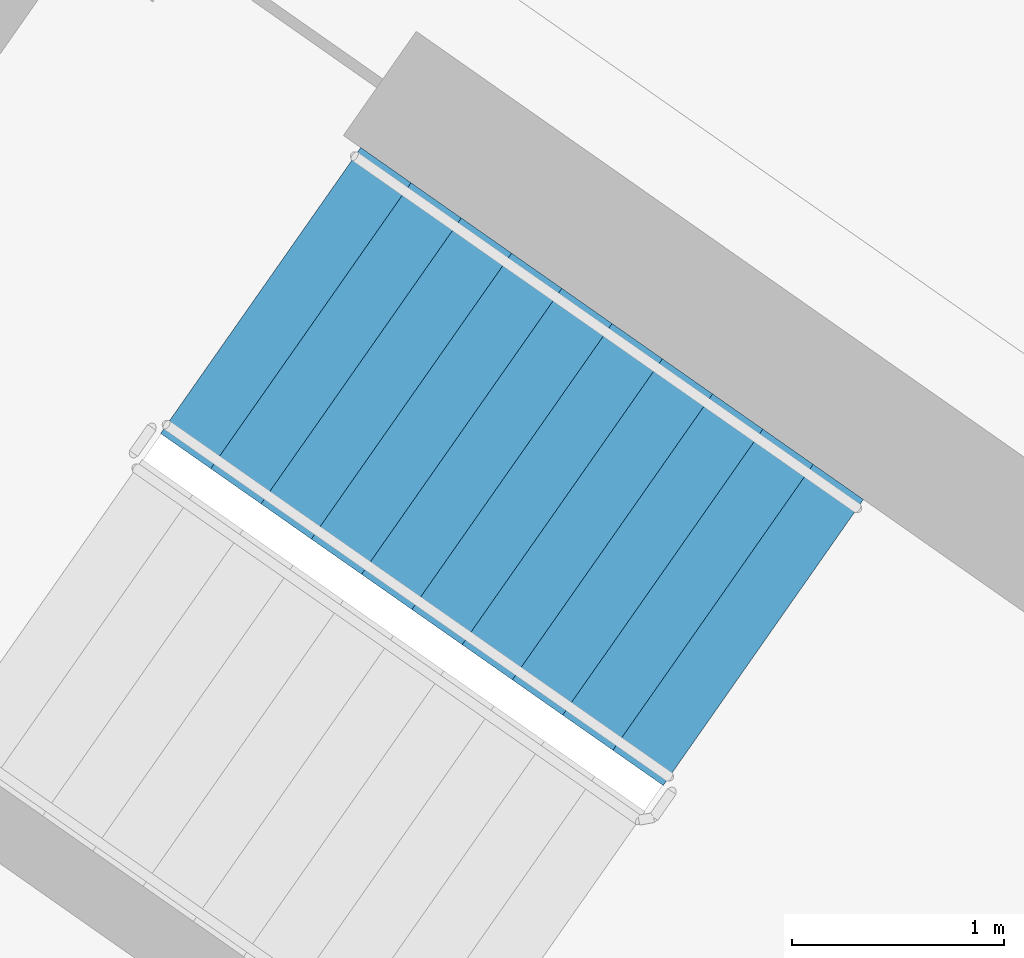
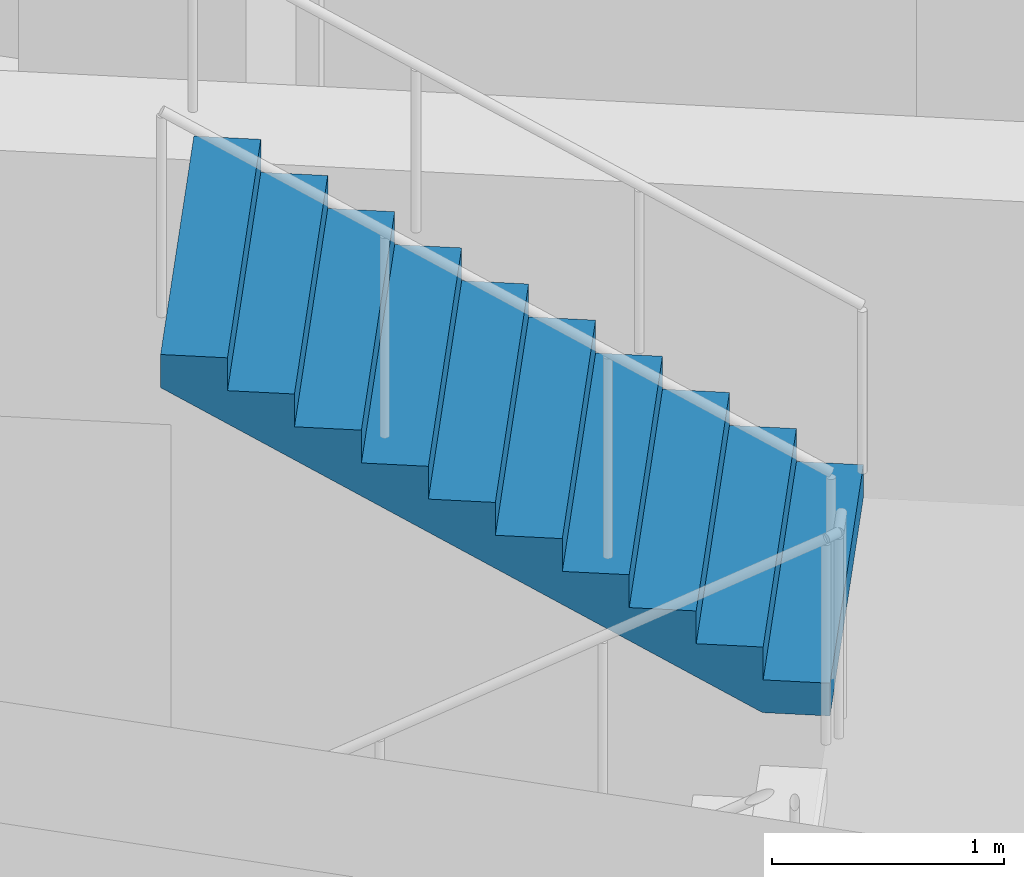
# One storey, part 12 of 29: 1 stair flight, 1 element without a shape of its own.
"""IFC4 building model written with IfcOpenShell, lengths in metres."""

from ifc_helpers import new_model, si_unit, direction, frame, origin, place, context, subcontext, project, spatial, faceted_brep, material, type_object, element, aggregate, save


model = new_model("IFC4")

# Units and contexts
model_context = context("Model", 3, precision=1e-05, world=origin(), true_north=direction((0.0, 1.0)))
body_context = subcontext(model_context, "Body", "Model", "MODEL_VIEW")
ifc_project = project(units=[si_unit("LENGTHUNIT", "METRE"), si_unit("AREAUNIT", "SQUARE_METRE"), si_unit("VOLUMEUNIT", "CUBIC_METRE"), si_unit("PLANEANGLEUNIT", "RADIAN"), si_unit("MASSUNIT", "GRAM", prefix="KILO")], contexts=[model_context])

# Site, building, storey
site_placement = place(None, origin())
site = spatial("IfcSite", under=ifc_project, at=site_placement, CompositionType="ELEMENT")
building_placement = place(site_placement, origin())
building = spatial("IfcBuilding", under=site, at=building_placement, Name="Qamariyya Broadcast Tower", CompositionType="ELEMENT")
storey_placement = place(building_placement, frame((0.0, 0.0, 207.5)))
storey = spatial("IfcBuildingStorey", under=building, at=storey_placement, Name="L49", CompositionType="ELEMENT", Elevation=207.5)

# Stair, stair flight
ifc_material = material(Name="Concrete C50/60", Category="concrete")
stair_type = type_object("IfcStairType", Name="Exit stair 22 risers of 173 mm", PredefinedType="HALF_TURN_STAIR", material=ifc_material)
stair_placement = place(storey_placement, origin())
stair = element("IfcStair", 1, at=stair_placement, inside=storey, type_object=stair_type, Name="L49 Stair W2", PredefinedType="HALF_TURN_STAIR")
stair_flight_type = type_object("IfcStairFlightType", Name="Exit stair flight 11 risers of 173 mm", PredefinedType="STRAIGHT", material=ifc_material)
stair_flight_placement = place(storey_placement, frame((-38.18310546875, -49.3486328125, 1.89990234375), z_axis=(0.0, 0.0, 1.0), x_axis=(-0.819152044289, 0.573576436351, 0.0)))
stair_flight = element("IfcStairFlight", 2, at=stair_flight_placement, type_object=stair_flight_type, Name="ST-W2 flight 2", NumberOfRisers=11, NumberOfTreads=10, PredefinedType="STRAIGHT", RiserHeight=0.172727273, TreadLength=0.29, context=body_context, shape_type="Brep", body=[
    faceted_brep([(0.0, 0.824951171875, 0.0), (0.0, 0.824951171875, 0.172607421875), (0.2900390625, 0.824951171875, 0.172607421875), (0.2900390625, 0.824951171875, 0.345458984375), (0.580078125, 0.824951171875, 0.345458984375), (0.580078125, 0.824951171875, 0.51806640625), (0.8701171875, 0.824951171875, 0.51806640625), (0.8701171875, 0.824951171875, 0.69091796875), (1.159912109375, 0.824951171875, 0.69091796875), (1.159912109375, 0.824951171875, 0.863525390625), (1.449951171875, 0.824951171875, 0.863525390625), (1.449951171875, 0.824951171875, 1.036376953125), (1.739990234375, 0.824951171875, 1.036376953125), (1.739990234375, 0.824951171875, 1.208984375), (2.030029296875, 0.824951171875, 1.208984375), (2.030029296875, 0.824951171875, 1.3818359375), (2.320068359375, 0.824951171875, 1.3818359375), (2.320068359375, 0.824951171875, 1.554443359375), (2.610107421875, 0.824951171875, 1.554443359375), (2.610107421875, 0.824951171875, 1.727294921875), (2.89990234375, 0.824951171875, 1.727294921875), (2.89990234375, 0.824951171875, 1.552734375), (0.29296875, 0.824951171875, 0.0), (0.29296875, -0.824951171875, 0.0), (2.89990234375, -0.824951171875, 1.552734375), (2.89990234375, -0.824951171875, 1.727294921875), (2.610107421875, -0.824951171875, 1.727294921875), (2.610107421875, -0.824951171875, 1.554443359375), (2.320068359375, -0.824951171875, 1.554443359375), (2.320068359375, -0.824951171875, 1.3818359375), (2.030029296875, -0.824951171875, 1.3818359375), (2.030029296875, -0.824951171875, 1.208984375), (1.739990234375, -0.824951171875, 1.208984375), (1.739990234375, -0.824951171875, 1.036376953125), (1.449951171875, -0.824951171875, 1.036376953125), (1.449951171875, -0.824951171875, 0.863525390625), (1.159912109375, -0.824951171875, 0.863525390625), (1.159912109375, -0.824951171875, 0.69091796875), (0.8701171875, -0.824951171875, 0.69091796875), (0.8701171875, -0.824951171875, 0.51806640625), (0.580078125, -0.824951171875, 0.51806640625), (0.580078125, -0.824951171875, 0.345458984375), (0.2900390625, -0.824951171875, 0.345458984375), (0.2900390625, -0.824951171875, 0.172607421875), (0.0, -0.824951171875, 0.172607421875), (0.0, -0.824951171875, 0.0), (0.0, 0.10009765625, 0.0), (0.0, 0.086669921875, 0.0), (0.0, 0.0732421875, 0.0), (0.0, 0.06005859375, 0.0), (0.0, 0.046630859375, 0.0), (0.0, 0.033447265625, 0.0), (0.0, 0.02001953125, 0.0), (0.0, 0.006591796875, 0.0), (0.0, -0.006591796875, 0.0), (0.0, -0.02001953125, 0.0), (0.0, -0.033447265625, 0.0), (0.0, -0.046630859375, 0.0), (0.0, -0.06005859375, 0.0), (0.0, -0.0732421875, 0.0), (0.0, -0.086669921875, 0.0), (0.0, -0.10009765625, 0.0), (0.0, -0.10009765625, 0.172607421875), (0.0, -0.086669921875, 0.172607421875), (0.0, -0.0732421875, 0.172607421875), (0.0, -0.06005859375, 0.172607421875), (0.0, -0.046630859375, 0.172607421875), (0.0, -0.033447265625, 0.172607421875), (0.0, -0.02001953125, 0.172607421875), (0.0, -0.006591796875, 0.172607421875), (0.0, 0.006591796875, 0.172607421875), (0.0, 0.02001953125, 0.172607421875), (0.0, 0.033447265625, 0.172607421875), (0.0, 0.046630859375, 0.172607421875), (0.0, 0.06005859375, 0.172607421875), (0.0, 0.0732421875, 0.172607421875), (0.0, 0.086669921875, 0.172607421875), (0.0, 0.10009765625, 0.172607421875), (0.2900390625, -0.10009765625, 0.172607421875), (0.2900390625, -0.086669921875, 0.172607421875), (0.2900390625, -0.0732421875, 0.172607421875), (0.2900390625, -0.06005859375, 0.172607421875), (0.2900390625, -0.046630859375, 0.172607421875), (0.2900390625, -0.033447265625, 0.172607421875), (0.2900390625, -0.02001953125, 0.172607421875), (0.2900390625, -0.006591796875, 0.172607421875), (0.2900390625, 0.006591796875, 0.172607421875), (0.2900390625, 0.02001953125, 0.172607421875), (0.2900390625, 0.033447265625, 0.172607421875), (0.2900390625, 0.046630859375, 0.172607421875), (0.2900390625, 0.06005859375, 0.172607421875), (0.2900390625, 0.0732421875, 0.172607421875), (0.2900390625, 0.086669921875, 0.172607421875), (0.2900390625, 0.10009765625, 0.172607421875), (0.2900390625, -0.10009765625, 0.345458984375), (0.2900390625, -0.086669921875, 0.345458984375), (0.2900390625, -0.0732421875, 0.345458984375), (0.2900390625, -0.06005859375, 0.345458984375), (0.2900390625, -0.046630859375, 0.345458984375), (0.2900390625, -0.033447265625, 0.345458984375), (0.2900390625, -0.02001953125, 0.345458984375), (0.2900390625, -0.006591796875, 0.345458984375), (0.2900390625, 0.006591796875, 0.345458984375), (0.2900390625, 0.02001953125, 0.345458984375), (0.2900390625, 0.033447265625, 0.345458984375), (0.2900390625, 0.046630859375, 0.345458984375), (0.2900390625, 0.06005859375, 0.345458984375), (0.2900390625, 0.0732421875, 0.345458984375), (0.2900390625, 0.086669921875, 0.345458984375), (0.2900390625, 0.10009765625, 0.345458984375), (0.580078125, -0.10009765625, 0.345458984375), (0.580078125, -0.086669921875, 0.345458984375), (0.580078125, -0.0732421875, 0.345458984375), (0.580078125, -0.06005859375, 0.345458984375), (0.580078125, -0.046630859375, 0.345458984375), (0.580078125, -0.033447265625, 0.345458984375), (0.580078125, -0.02001953125, 0.345458984375), (0.580078125, -0.006591796875, 0.345458984375), (0.580078125, 0.006591796875, 0.345458984375), (0.580078125, 0.02001953125, 0.345458984375), (0.580078125, 0.033447265625, 0.345458984375), (0.580078125, 0.046630859375, 0.345458984375), (0.580078125, 0.06005859375, 0.345458984375), (0.580078125, 0.0732421875, 0.345458984375), (0.580078125, 0.086669921875, 0.345458984375), (0.580078125, 0.10009765625, 0.345458984375), (0.580078125, -0.10009765625, 0.51806640625), (0.580078125, -0.086669921875, 0.51806640625), (0.580078125, -0.0732421875, 0.51806640625), (0.580078125, -0.06005859375, 0.51806640625), (0.580078125, -0.046630859375, 0.51806640625), (0.580078125, -0.033447265625, 0.51806640625), (0.580078125, -0.02001953125, 0.51806640625), (0.580078125, -0.006591796875, 0.51806640625), (0.580078125, 0.006591796875, 0.51806640625), (0.580078125, 0.02001953125, 0.51806640625), (0.580078125, 0.033447265625, 0.51806640625), (0.580078125, 0.046630859375, 0.51806640625), (0.580078125, 0.06005859375, 0.51806640625), (0.580078125, 0.0732421875, 0.51806640625), (0.580078125, 0.086669921875, 0.51806640625), (0.580078125, 0.10009765625, 0.51806640625), (0.8701171875, -0.10009765625, 0.51806640625), (0.8701171875, -0.086669921875, 0.51806640625), (0.8701171875, -0.0732421875, 0.51806640625), (0.8701171875, -0.06005859375, 0.51806640625), (0.8701171875, -0.046630859375, 0.51806640625), (0.8701171875, -0.033447265625, 0.51806640625), (0.8701171875, -0.02001953125, 0.51806640625), (0.8701171875, -0.006591796875, 0.51806640625), (0.8701171875, 0.006591796875, 0.51806640625), (0.8701171875, 0.02001953125, 0.51806640625), (0.8701171875, 0.033447265625, 0.51806640625), (0.8701171875, 0.046630859375, 0.51806640625), (0.8701171875, 0.06005859375, 0.51806640625), (0.8701171875, 0.0732421875, 0.51806640625), (0.8701171875, 0.086669921875, 0.51806640625), (0.8701171875, 0.10009765625, 0.51806640625), (0.8701171875, -0.10009765625, 0.69091796875), (0.8701171875, -0.086669921875, 0.69091796875), (0.8701171875, -0.0732421875, 0.69091796875), (0.8701171875, -0.06005859375, 0.69091796875), (0.8701171875, -0.046630859375, 0.69091796875), (0.8701171875, -0.033447265625, 0.69091796875), (0.8701171875, -0.02001953125, 0.69091796875), (0.8701171875, -0.006591796875, 0.69091796875), (0.8701171875, 0.006591796875, 0.69091796875), (0.8701171875, 0.02001953125, 0.69091796875), (0.8701171875, 0.033447265625, 0.69091796875), (0.8701171875, 0.046630859375, 0.69091796875), (0.8701171875, 0.06005859375, 0.69091796875), (0.8701171875, 0.0732421875, 0.69091796875), (0.8701171875, 0.086669921875, 0.69091796875), (0.8701171875, 0.10009765625, 0.69091796875), (1.159912109375, -0.10009765625, 0.69091796875), (1.159912109375, -0.086669921875, 0.69091796875), (1.159912109375, -0.0732421875, 0.69091796875), (1.159912109375, -0.06005859375, 0.69091796875), (1.159912109375, -0.046630859375, 0.69091796875), (1.159912109375, -0.033447265625, 0.69091796875), (1.159912109375, -0.02001953125, 0.69091796875), (1.159912109375, -0.006591796875, 0.69091796875), (1.159912109375, 0.006591796875, 0.69091796875), (1.159912109375, 0.02001953125, 0.69091796875), (1.159912109375, 0.033447265625, 0.69091796875), (1.159912109375, 0.046630859375, 0.69091796875), (1.159912109375, 0.06005859375, 0.69091796875), (1.159912109375, 0.0732421875, 0.69091796875), (1.159912109375, 0.086669921875, 0.69091796875), (1.159912109375, 0.10009765625, 0.69091796875), (1.159912109375, -0.10009765625, 0.863525390625), (1.159912109375, -0.086669921875, 0.863525390625), (1.159912109375, -0.0732421875, 0.863525390625), (1.159912109375, -0.06005859375, 0.863525390625), (1.159912109375, -0.046630859375, 0.863525390625), (1.159912109375, -0.033447265625, 0.863525390625), (1.159912109375, -0.02001953125, 0.863525390625), (1.159912109375, -0.006591796875, 0.863525390625), (1.159912109375, 0.006591796875, 0.863525390625), (1.159912109375, 0.02001953125, 0.863525390625), (1.159912109375, 0.033447265625, 0.863525390625), (1.159912109375, 0.046630859375, 0.863525390625), (1.159912109375, 0.06005859375, 0.863525390625), (1.159912109375, 0.0732421875, 0.863525390625), (1.159912109375, 0.086669921875, 0.863525390625), (1.159912109375, 0.10009765625, 0.863525390625), (1.449951171875, -0.10009765625, 0.863525390625), (1.449951171875, -0.086669921875, 0.863525390625), (1.449951171875, -0.0732421875, 0.863525390625), (1.449951171875, -0.06005859375, 0.863525390625), (1.449951171875, -0.046630859375, 0.863525390625), (1.449951171875, -0.033447265625, 0.863525390625), (1.449951171875, -0.02001953125, 0.863525390625), (1.449951171875, -0.006591796875, 0.863525390625), (1.449951171875, 0.006591796875, 0.863525390625), (1.449951171875, 0.02001953125, 0.863525390625), (1.449951171875, 0.033447265625, 0.863525390625), (1.449951171875, 0.046630859375, 0.863525390625), (1.449951171875, 0.06005859375, 0.863525390625), (1.449951171875, 0.0732421875, 0.863525390625), (1.449951171875, 0.086669921875, 0.863525390625), (1.449951171875, 0.10009765625, 0.863525390625), (1.449951171875, -0.10009765625, 1.036376953125), (1.449951171875, -0.086669921875, 1.036376953125), (1.449951171875, -0.0732421875, 1.036376953125), (1.449951171875, -0.06005859375, 1.036376953125), (1.449951171875, -0.046630859375, 1.036376953125), (1.449951171875, -0.033447265625, 1.036376953125), (1.449951171875, -0.02001953125, 1.036376953125), (1.449951171875, -0.006591796875, 1.036376953125), (1.449951171875, 0.006591796875, 1.036376953125), (1.449951171875, 0.02001953125, 1.036376953125), (1.449951171875, 0.033447265625, 1.036376953125), (1.449951171875, 0.046630859375, 1.036376953125), (1.449951171875, 0.06005859375, 1.036376953125), (1.449951171875, 0.0732421875, 1.036376953125), (1.449951171875, 0.086669921875, 1.036376953125), (1.449951171875, 0.10009765625, 1.036376953125), (1.739990234375, -0.10009765625, 1.036376953125), (1.739990234375, -0.086669921875, 1.036376953125), (1.739990234375, -0.0732421875, 1.036376953125), (1.739990234375, -0.06005859375, 1.036376953125), (1.739990234375, -0.046630859375, 1.036376953125), (1.739990234375, -0.033447265625, 1.036376953125), (1.739990234375, -0.02001953125, 1.036376953125), (1.739990234375, -0.006591796875, 1.036376953125), (1.739990234375, 0.006591796875, 1.036376953125), (1.739990234375, 0.02001953125, 1.036376953125), (1.739990234375, 0.033447265625, 1.036376953125), (1.739990234375, 0.046630859375, 1.036376953125), (1.739990234375, 0.06005859375, 1.036376953125), (1.739990234375, 0.0732421875, 1.036376953125), (1.739990234375, 0.086669921875, 1.036376953125), (1.739990234375, 0.10009765625, 1.036376953125), (1.739990234375, -0.10009765625, 1.208984375), (1.739990234375, -0.086669921875, 1.208984375), (1.739990234375, -0.0732421875, 1.208984375), (1.739990234375, -0.06005859375, 1.208984375), (1.739990234375, -0.046630859375, 1.208984375), (1.739990234375, -0.033447265625, 1.208984375), (1.739990234375, -0.02001953125, 1.208984375), (1.739990234375, -0.006591796875, 1.208984375), (1.739990234375, 0.006591796875, 1.208984375), (1.739990234375, 0.02001953125, 1.208984375), (1.739990234375, 0.033447265625, 1.208984375), (1.739990234375, 0.046630859375, 1.208984375), (1.739990234375, 0.06005859375, 1.208984375), (1.739990234375, 0.0732421875, 1.208984375), (1.739990234375, 0.086669921875, 1.208984375), (1.739990234375, 0.10009765625, 1.208984375), (2.030029296875, -0.10009765625, 1.208984375), (2.030029296875, -0.086669921875, 1.208984375), (2.030029296875, -0.0732421875, 1.208984375), (2.030029296875, -0.06005859375, 1.208984375), (2.030029296875, -0.046630859375, 1.208984375), (2.030029296875, -0.033447265625, 1.208984375), (2.030029296875, -0.02001953125, 1.208984375), (2.030029296875, -0.006591796875, 1.208984375), (2.030029296875, 0.006591796875, 1.208984375), (2.030029296875, 0.02001953125, 1.208984375), (2.030029296875, 0.033447265625, 1.208984375), (2.030029296875, 0.046630859375, 1.208984375), (2.030029296875, 0.06005859375, 1.208984375), (2.030029296875, 0.0732421875, 1.208984375), (2.030029296875, 0.086669921875, 1.208984375), (2.030029296875, 0.10009765625, 1.208984375), (2.030029296875, -0.10009765625, 1.3818359375), (2.030029296875, -0.086669921875, 1.3818359375), (2.030029296875, -0.0732421875, 1.3818359375), (2.030029296875, -0.06005859375, 1.3818359375), (2.030029296875, -0.046630859375, 1.3818359375), (2.030029296875, -0.033447265625, 1.3818359375), (2.030029296875, -0.02001953125, 1.3818359375), (2.030029296875, -0.006591796875, 1.3818359375), (2.030029296875, 0.006591796875, 1.3818359375), (2.030029296875, 0.02001953125, 1.3818359375), (2.030029296875, 0.033447265625, 1.3818359375), (2.030029296875, 0.046630859375, 1.3818359375), (2.030029296875, 0.06005859375, 1.3818359375), (2.030029296875, 0.0732421875, 1.3818359375), (2.030029296875, 0.086669921875, 1.3818359375), (2.030029296875, 0.10009765625, 1.3818359375), (2.320068359375, -0.10009765625, 1.3818359375), (2.320068359375, -0.086669921875, 1.3818359375), (2.320068359375, -0.0732421875, 1.3818359375), (2.320068359375, -0.06005859375, 1.3818359375), (2.320068359375, -0.046630859375, 1.3818359375), (2.320068359375, -0.033447265625, 1.3818359375), (2.320068359375, -0.02001953125, 1.3818359375), (2.320068359375, -0.006591796875, 1.3818359375), (2.320068359375, 0.006591796875, 1.3818359375), (2.320068359375, 0.02001953125, 1.3818359375), (2.320068359375, 0.033447265625, 1.3818359375), (2.320068359375, 0.046630859375, 1.3818359375), (2.320068359375, 0.06005859375, 1.3818359375), (2.320068359375, 0.0732421875, 1.3818359375), (2.320068359375, 0.086669921875, 1.3818359375), (2.320068359375, 0.10009765625, 1.3818359375), (2.320068359375, -0.10009765625, 1.554443359375), (2.320068359375, -0.086669921875, 1.554443359375), (2.320068359375, -0.0732421875, 1.554443359375), (2.320068359375, -0.06005859375, 1.554443359375), (2.320068359375, -0.046630859375, 1.554443359375), (2.320068359375, -0.033447265625, 1.554443359375), (2.320068359375, -0.02001953125, 1.554443359375), (2.320068359375, -0.006591796875, 1.554443359375), (2.320068359375, 0.006591796875, 1.554443359375), (2.320068359375, 0.02001953125, 1.554443359375), (2.320068359375, 0.033447265625, 1.554443359375), (2.320068359375, 0.046630859375, 1.554443359375), (2.320068359375, 0.06005859375, 1.554443359375), (2.320068359375, 0.0732421875, 1.554443359375), (2.320068359375, 0.086669921875, 1.554443359375), (2.320068359375, 0.10009765625, 1.554443359375), (2.610107421875, -0.10009765625, 1.554443359375), (2.610107421875, -0.086669921875, 1.554443359375), (2.610107421875, -0.0732421875, 1.554443359375), (2.610107421875, -0.06005859375, 1.554443359375), (2.610107421875, -0.046630859375, 1.554443359375), (2.610107421875, -0.033447265625, 1.554443359375), (2.610107421875, -0.02001953125, 1.554443359375), (2.610107421875, -0.006591796875, 1.554443359375), (2.610107421875, 0.006591796875, 1.554443359375), (2.610107421875, 0.02001953125, 1.554443359375), (2.610107421875, 0.033447265625, 1.554443359375), (2.610107421875, 0.046630859375, 1.554443359375), (2.610107421875, 0.06005859375, 1.554443359375), (2.610107421875, 0.0732421875, 1.554443359375), (2.610107421875, 0.086669921875, 1.554443359375), (2.610107421875, 0.10009765625, 1.554443359375), (2.610107421875, -0.10009765625, 1.727294921875), (2.610107421875, -0.086669921875, 1.727294921875), (2.610107421875, -0.0732421875, 1.727294921875), (2.610107421875, -0.06005859375, 1.727294921875), (2.610107421875, -0.046630859375, 1.727294921875), (2.610107421875, -0.033447265625, 1.727294921875), (2.610107421875, -0.02001953125, 1.727294921875), (2.610107421875, -0.006591796875, 1.727294921875), (2.610107421875, 0.006591796875, 1.727294921875), (2.610107421875, 0.02001953125, 1.727294921875), (2.610107421875, 0.033447265625, 1.727294921875), (2.610107421875, 0.046630859375, 1.727294921875), (2.610107421875, 0.06005859375, 1.727294921875), (2.610107421875, 0.0732421875, 1.727294921875), (2.610107421875, 0.086669921875, 1.727294921875), (2.610107421875, 0.10009765625, 1.727294921875), (2.89990234375, -0.10009765625, 1.727294921875), (2.89990234375, -0.086669921875, 1.727294921875), (2.89990234375, -0.0732421875, 1.727294921875), (2.89990234375, -0.06005859375, 1.727294921875), (2.89990234375, -0.046630859375, 1.727294921875), (2.89990234375, -0.033447265625, 1.727294921875), (2.89990234375, -0.02001953125, 1.727294921875), (2.89990234375, -0.006591796875, 1.727294921875), (2.89990234375, 0.006591796875, 1.727294921875), (2.89990234375, 0.02001953125, 1.727294921875), (2.89990234375, 0.033447265625, 1.727294921875), (2.89990234375, 0.046630859375, 1.727294921875), (2.89990234375, 0.06005859375, 1.727294921875), (2.89990234375, 0.0732421875, 1.727294921875), (2.89990234375, 0.086669921875, 1.727294921875), (2.89990234375, 0.10009765625, 1.727294921875), (2.89990234375, -0.10009765625, 1.552734375), (2.89990234375, -0.086669921875, 1.552734375), (2.89990234375, -0.0732421875, 1.552734375), (2.89990234375, -0.06005859375, 1.552734375), (2.89990234375, -0.046630859375, 1.552734375), (2.89990234375, -0.033447265625, 1.552734375), (2.89990234375, -0.02001953125, 1.552734375), (2.89990234375, -0.006591796875, 1.552734375), (2.89990234375, 0.006591796875, 1.552734375), (2.89990234375, 0.02001953125, 1.552734375), (2.89990234375, 0.033447265625, 1.552734375), (2.89990234375, 0.046630859375, 1.552734375), (2.89990234375, 0.06005859375, 1.552734375), (2.89990234375, 0.0732421875, 1.552734375), (2.89990234375, 0.086669921875, 1.552734375), (2.89990234375, 0.10009765625, 1.552734375), (0.29296875, -0.10009765625, 0.0), (0.29296875, -0.086669921875, 0.0), (0.29296875, -0.0732421875, 0.0), (0.29296875, -0.06005859375, 0.0), (0.29296875, -0.046630859375, 0.0), (0.29296875, -0.033447265625, 0.0), (0.29296875, -0.02001953125, 0.0), (0.29296875, -0.006591796875, 0.0), (0.29296875, 0.006591796875, 0.0), (0.29296875, 0.02001953125, 0.0), (0.29296875, 0.033447265625, 0.0), (0.29296875, 0.046630859375, 0.0), (0.29296875, 0.06005859375, 0.0), (0.29296875, 0.0732421875, 0.0), (0.29296875, 0.086669921875, 0.0), (0.29296875, 0.10009765625, 0.0)], [[[0, 1, 2, 3, 4, 5, 6, 7, 8, 9, 10, 11, 12, 13, 14, 15, 16, 17, 18, 19, 20, 21, 22]], [[23, 24, 25, 26, 27, 28, 29, 30, 31, 32, 33, 34, 35, 36, 37, 38, 39, 40, 41, 42, 43, 44, 45]], [[0, 46, 47, 48, 49, 50, 51, 52, 53, 54, 55, 56, 57, 58, 59, 60, 61, 45, 44, 62, 63, 64, 65, 66, 67, 68, 69, 70, 71, 72, 73, 74, 75, 76, 77, 1]], [[1, 77, 76, 75, 74, 73, 72, 71, 70, 69, 68, 67, 66, 65, 64, 63, 62, 44, 43, 78, 79, 80, 81, 82, 83, 84, 85, 86, 87, 88, 89, 90, 91, 92, 93, 2]], [[2, 93, 92, 91, 90, 89, 88, 87, 86, 85, 84, 83, 82, 81, 80, 79, 78, 43, 42, 94, 95, 96, 97, 98, 99, 100, 101, 102, 103, 104, 105, 106, 107, 108, 109, 3]], [[3, 109, 108, 107, 106, 105, 104, 103, 102, 101, 100, 99, 98, 97, 96, 95, 94, 42, 41, 110, 111, 112, 113, 114, 115, 116, 117, 118, 119, 120, 121, 122, 123, 124, 125, 4]], [[4, 125, 124, 123, 122, 121, 120, 119, 118, 117, 116, 115, 114, 113, 112, 111, 110, 41, 40, 126, 127, 128, 129, 130, 131, 132, 133, 134, 135, 136, 137, 138, 139, 140, 141, 5]], [[5, 141, 140, 139, 138, 137, 136, 135, 134, 133, 132, 131, 130, 129, 128, 127, 126, 40, 39, 142, 143, 144, 145, 146, 147, 148, 149, 150, 151, 152, 153, 154, 155, 156, 157, 6]], [[6, 157, 156, 155, 154, 153, 152, 151, 150, 149, 148, 147, 146, 145, 144, 143, 142, 39, 38, 158, 159, 160, 161, 162, 163, 164, 165, 166, 167, 168, 169, 170, 171, 172, 173, 7]], [[7, 173, 172, 171, 170, 169, 168, 167, 166, 165, 164, 163, 162, 161, 160, 159, 158, 38, 37, 174, 175, 176, 177, 178, 179, 180, 181, 182, 183, 184, 185, 186, 187, 188, 189, 8]], [[8, 189, 188, 187, 186, 185, 184, 183, 182, 181, 180, 179, 178, 177, 176, 175, 174, 37, 36, 190, 191, 192, 193, 194, 195, 196, 197, 198, 199, 200, 201, 202, 203, 204, 205, 9]], [[9, 205, 204, 203, 202, 201, 200, 199, 198, 197, 196, 195, 194, 193, 192, 191, 190, 36, 35, 206, 207, 208, 209, 210, 211, 212, 213, 214, 215, 216, 217, 218, 219, 220, 221, 10]], [[10, 221, 220, 219, 218, 217, 216, 215, 214, 213, 212, 211, 210, 209, 208, 207, 206, 35, 34, 222, 223, 224, 225, 226, 227, 228, 229, 230, 231, 232, 233, 234, 235, 236, 237, 11]], [[11, 237, 236, 235, 234, 233, 232, 231, 230, 229, 228, 227, 226, 225, 224, 223, 222, 34, 33, 238, 239, 240, 241, 242, 243, 244, 245, 246, 247, 248, 249, 250, 251, 252, 253, 12]], [[12, 253, 252, 251, 250, 249, 248, 247, 246, 245, 244, 243, 242, 241, 240, 239, 238, 33, 32, 254, 255, 256, 257, 258, 259, 260, 261, 262, 263, 264, 265, 266, 267, 268, 269, 13]], [[13, 269, 268, 267, 266, 265, 264, 263, 262, 261, 260, 259, 258, 257, 256, 255, 254, 32, 31, 270, 271, 272, 273, 274, 275, 276, 277, 278, 279, 280, 281, 282, 283, 284, 285, 14]], [[14, 285, 284, 283, 282, 281, 280, 279, 278, 277, 276, 275, 274, 273, 272, 271, 270, 31, 30, 286, 287, 288, 289, 290, 291, 292, 293, 294, 295, 296, 297, 298, 299, 300, 301, 15]], [[15, 301, 300, 299, 298, 297, 296, 295, 294, 293, 292, 291, 290, 289, 288, 287, 286, 30, 29, 302, 303, 304, 305, 306, 307, 308, 309, 310, 311, 312, 313, 314, 315, 316, 317, 16]], [[16, 317, 316, 315, 314, 313, 312, 311, 310, 309, 308, 307, 306, 305, 304, 303, 302, 29, 28, 318, 319, 320, 321, 322, 323, 324, 325, 326, 327, 328, 329, 330, 331, 332, 333, 17]], [[17, 333, 332, 331, 330, 329, 328, 327, 326, 325, 324, 323, 322, 321, 320, 319, 318, 28, 27, 334, 335, 336, 337, 338, 339, 340, 341, 342, 343, 344, 345, 346, 347, 348, 349, 18]], [[18, 349, 348, 347, 346, 345, 344, 343, 342, 341, 340, 339, 338, 337, 336, 335, 334, 27, 26, 350, 351, 352, 353, 354, 355, 356, 357, 358, 359, 360, 361, 362, 363, 364, 365, 19]], [[19, 365, 364, 363, 362, 361, 360, 359, 358, 357, 356, 355, 354, 353, 352, 351, 350, 26, 25, 366, 367, 368, 369, 370, 371, 372, 373, 374, 375, 376, 377, 378, 379, 380, 381, 20]], [[20, 381, 380, 379, 378, 377, 376, 375, 374, 373, 372, 371, 370, 369, 368, 367, 366, 25, 24, 382, 383, 384, 385, 386, 387, 388, 389, 390, 391, 392, 393, 394, 395, 396, 397, 21]], [[21, 397, 396, 395, 394, 393, 392, 391, 390, 389, 388, 387, 386, 385, 384, 383, 382, 24, 23, 398, 399, 400, 401, 402, 403, 404, 405, 406, 407, 408, 409, 410, 411, 412, 413, 22]], [[22, 413, 412, 411, 410, 409, 408, 407, 406, 405, 404, 403, 402, 401, 400, 399, 398, 23, 45, 61, 60, 59, 58, 57, 56, 55, 54, 53, 52, 51, 50, 49, 48, 47, 46, 0]]]),
])
aggregate(stair, [stair_flight])

save(model, "model.ifc")
